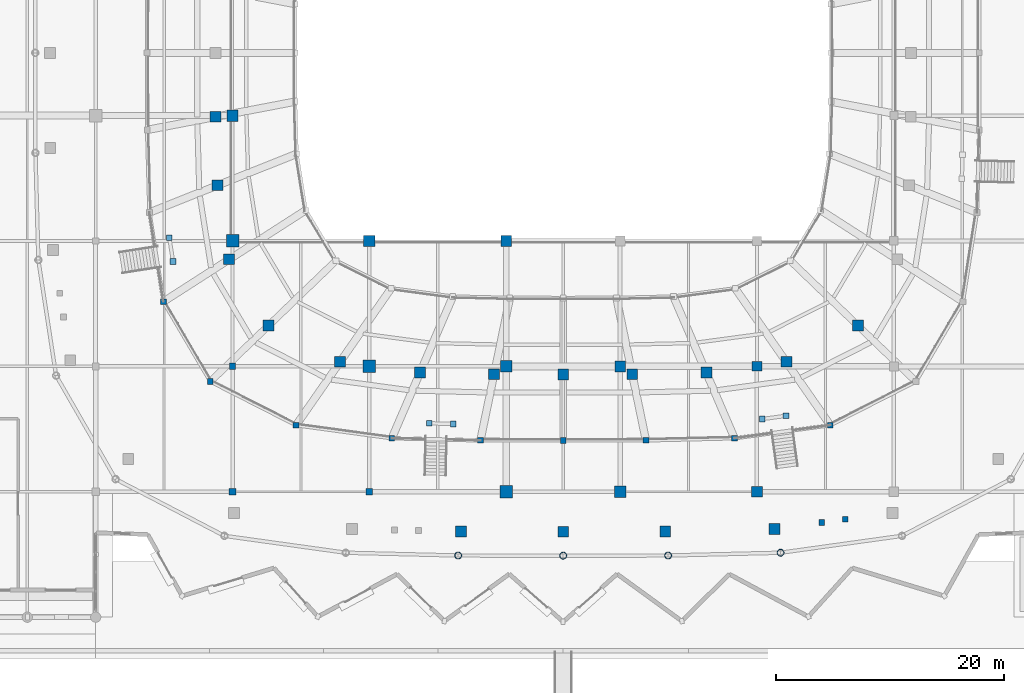
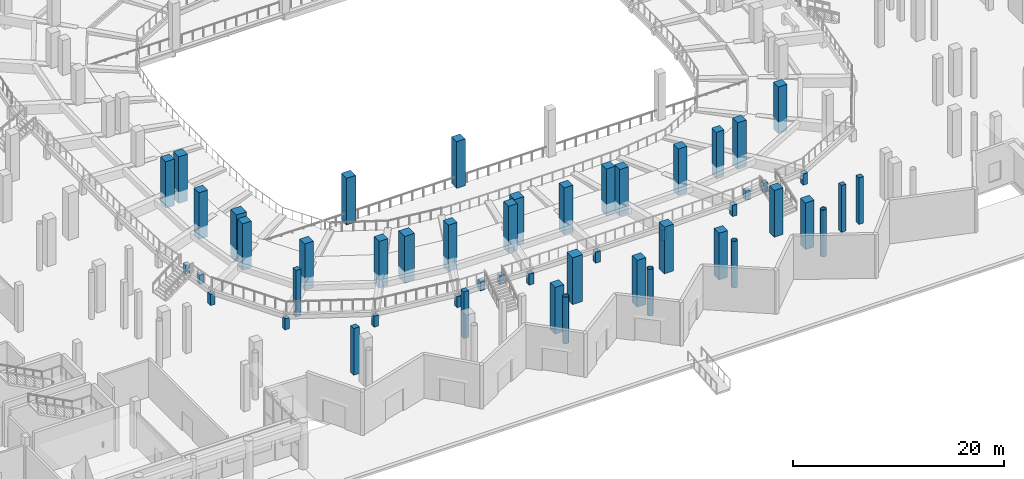
# One storey, part 5 of 120: 51 columns.
"""IFC4 building model written with IfcOpenShell, lengths in metres."""

from ifc_helpers import new_model, si_unit, direction, frame, origin, origin_2d, place, context, subcontext, project, spatial, rectangle, hollow_circle, extrude, material, material_profile, profile_set, type_object, element, save


model = new_model("IFC4")

# Units and contexts
model_context = context("Model", 3, precision=1e-05, world=origin(), true_north=direction((0.0, 1.0)))
body_context = subcontext(model_context, "Body", "Model", "MODEL_VIEW")
ifc_project = project(units=[si_unit("LENGTHUNIT", "METRE"), si_unit("AREAUNIT", "SQUARE_METRE"), si_unit("VOLUMEUNIT", "CUBIC_METRE"), si_unit("PLANEANGLEUNIT", "RADIAN"), si_unit("MASSUNIT", "GRAM", prefix="KILO")], contexts=[model_context])

# Site, building, storey
site_placement = place(None, origin())
site = spatial("IfcSite", under=ifc_project, at=site_placement, CompositionType="ELEMENT")
building_placement = place(site_placement, origin())
building = spatial("IfcBuilding", under=site, at=building_placement, Name="Luwafu Chhajja Arena", CompositionType="ELEMENT")
storey_placement = place(building_placement, origin())
storey = spatial("IfcBuildingStorey", under=building, at=storey_placement, Name="L00", CompositionType="ELEMENT", Elevation=0.0)

# Columns
ifc_material_1 = material(Name="Concrete C40/50", Category="concrete")
ifc_material_profile_1 = material_profile(ifc_material_1, rectangle(XDim=1.0, YDim=1.0, at=origin_2d()), Name="RC 1000x1000")
ifc_profile_set_1 = profile_set([ifc_material_profile_1], Name="Concrete C40/50")
column_type_1 = type_object("IfcColumnType", Name="Bowl Primary Column RC 1000", PredefinedType="COLUMN", material=ifc_profile_set_1)
for number, where, z_axis, x_axis, name in (
    (1, (70.0, 44.0, 0.0), (0.0, 0.0, 1.0), (1.0, 0.0, 0.0), "L00 Grid Column 7/E"),
    (2, (82.0, 33.0, 0.0), (0.0, 0.0, 1.0), (1.0, 0.0, 0.0), "L00 Grid Column 8/D"),
    (3, (94.0, 22.0, 0.0), (0.0, 0.0, 1.0), (1.0, 0.0, 0.0), "L00 Grid Column 9/C"),
    (4, (104.0, 11.0, 0.0), (0.0, 0.0, 1.0), (1.0, 0.0, 0.0), "L00 Grid Column 10/B"),
):
    element("IfcColumn", number, at=place(storey_placement, frame(where, z_axis=z_axis, x_axis=x_axis)), inside=storey, type_object=column_type_1, Name=name, PredefinedType="COLUMN", context=body_context, shape_type="SweptSolid", body=[
        extrude(rectangle(XDim=1.0, YDim=1.0, at=origin_2d()), origin(), (0.0, 0.0, 1.0), 5.39990234375),
    ])
ifc_material_profile_2 = material_profile(ifc_material_1, rectangle(XDim=0.949951171875, YDim=0.949951171875, at=origin_2d()), Name="RC 950x950")
ifc_profile_set_2 = profile_set([ifc_material_profile_2], Name="Concrete C40/50")
column_type_2 = type_object("IfcColumnType", Name="Bowl Raker Support Column RC 950", PredefinedType="COLUMN", material=ifc_profile_set_2)
for number, where, z_axis, x_axis, name in (
    (5, (94.0, 33.0, 0.0), (0.0, 0.0, 1.0), (1.0, 0.0, 0.0), "L00 Grid Column 9/D"),
    (6, (104.0, 22.0, 0.0), (0.0, 0.0, 1.0), (1.0, 0.0, 0.0), "L00 Grid Column 10/C"),
    (7, (116.0, 11.0, 0.0), (0.0, 0.0, 1.0), (1.0, 0.0, 0.0), "L00 Grid Column 11/B"),
    (8, (68.50830078125, 43.89208984375, 0.0), (0.0, 0.0, 1.0), (1.0, 0.0, 0.0), "L00 Upper Bowl Raker Column UI18"),
    (9, (68.676513671875, 37.88671875, 0.0), (0.0, 0.0, 1.0), (1.0, 0.0, 0.0), "L00 Upper Bowl Raker Column UI19"),
    (10, (69.701416015625, 31.399658203125, 0.0), (0.0, 0.0, 1.0), (1.0, 0.0, 0.0), "L00 Upper Bowl Raker Column UI20"),
    (11, (73.14013671875, 25.590087890625, 0.0), (0.0, 0.0, 1.0), (1.0, 0.0, 0.0), "L00 Upper Bowl Raker Column UI21"),
    (12, (79.42333984375, 22.410888671875, 0.0), (0.0, 0.0, 1.0), (1.0, 0.0, 0.0), "L00 Upper Bowl Raker Column UI22"),
    (13, (86.439697265625, 21.463134765625, 0.0), (0.0, 0.0, 1.0), (1.0, 0.0, 0.0), "L00 Upper Bowl Raker Column UI23"),
    (14, (92.934814453125, 21.3076171875, 0.0), (0.0, 0.0, 1.0), (1.0, 0.0, 0.0), "L00 Upper Bowl Raker Column UI24"),
    (15, (99.0, 21.300048828125, 0.0), (0.0, 0.0, 1.0), (1.0, 0.0, 0.0), "L00 Upper Bowl Raker Column UI25"),
    (16, (105.065185546875, 21.3076171875, 0.0), (0.0, 0.0, 1.0), (1.0, 0.0, 0.0), "L00 Upper Bowl Raker Column UI26"),
    (17, (111.560302734375, 21.463134765625, 0.0), (0.0, 0.0, 1.0), (1.0, 0.0, 0.0), "L00 Upper Bowl Raker Column UI27"),
    (18, (118.57666015625, 22.410888671875, 0.0), (0.0, 0.0, 1.0), (1.0, 0.0, 0.0), "L00 Upper Bowl Raker Column UI28"),
    (19, (124.85986328125, 25.590087890625, 0.0), (0.0, 0.0, 1.0), (1.0, 0.0, 0.0), "L00 Upper Bowl Raker Column UI29"),
    (20, (90.051513671875, 7.51123046875, 0.0), (0.0, 0.0, 1.0), (1.0, 0.0, 0.0), "L00 Upper Bowl Raker Column UO24"),
    (21, (99.0, 7.5, 0.0), (0.0, 0.0, 1.0), (1.0, 0.0, 0.0), "L00 Upper Bowl Raker Column UO25"),
    (22, (107.948486328125, 7.51123046875, 0.0), (0.0, 0.0, 1.0), (1.0, 0.0, 0.0), "L00 Upper Bowl Raker Column UO26"),
    (23, (117.53173828125, 7.7431640625, 0.0), (0.0, 0.0, 1.0), (1.0, 0.0, 0.0), "L00 Upper Bowl Raker Column UO27"),
):
    element("IfcColumn", number, at=place(storey_placement, frame(where, z_axis=z_axis, x_axis=x_axis)), inside=storey, type_object=column_type_2, Name=name, PredefinedType="COLUMN", context=body_context, shape_type="SweptSolid", body=[
        extrude(rectangle(XDim=0.949951171875, YDim=0.949951171875, at=origin_2d()), origin(), (0.0, 0.0, 1.0), 5.39990234375),
    ])
ifc_material_profile_3 = material_profile(ifc_material_1, rectangle(XDim=1.10009765625, YDim=1.10009765625, at=origin_2d()), Name="RC 1100x1100")
ifc_profile_set_3 = profile_set([ifc_material_profile_3], Name="Concrete C40/50")
column_type_3 = type_object("IfcColumnType", Name="Bowl Rim Mega Column RC 1100", PredefinedType="COLUMN", material=ifc_profile_set_3)
for number, where, z_axis, x_axis, name in (
    (24, (70.0, 33.0, 0.0), (0.0, 0.0, 1.0), (1.0, 0.0, 0.0), "L00 Grid Column 7/D"),
    (25, (82.0, 22.0, 0.0), (0.0, 0.0, 1.0), (1.0, 0.0, 0.0), "L00 Grid Column 8/C"),
    (26, (94.0, 11.0, 0.0), (0.0, 0.0, 1.0), (1.0, 0.0, 0.0), "L00 Grid Column 9/B"),
):
    element("IfcColumn", number, at=place(storey_placement, frame(where, z_axis=z_axis, x_axis=x_axis)), inside=storey, type_object=column_type_3, Name=name, PredefinedType="COLUMN", context=body_context, shape_type="SweptSolid", body=[
        extrude(rectangle(XDim=1.10009765625, YDim=1.10009765625, at=origin_2d()), origin(), (0.0, 0.0, 1.0), 5.39990234375),
    ])
ifc_material_2 = material(Name="Concrete C35/45", Category="concrete")
ifc_material_profile_4 = material_profile(ifc_material_2, rectangle(XDim=0.85009765625, YDim=0.85009765625, at=origin_2d()), Name="RC 850x850")
ifc_profile_set_4 = profile_set([ifc_material_profile_4], Name="Concrete C35/45")
column_type_4 = type_object("IfcColumnType", Name="Concourse Heavy Column RC 850", PredefinedType="COLUMN", material=ifc_profile_set_4)
column_1_placement = place(storey_placement, frame((116.0, 22.0, 0.0), z_axis=(0.0, 0.0, 1.0), x_axis=(1.0, 0.0, 0.0)))
element("IfcColumn", 27, at=column_1_placement, inside=storey, type_object=column_type_4, Name="L00 Grid Column 11/C", PredefinedType="COLUMN", context=body_context, shape_type="SweptSolid", body=[
    extrude(rectangle(XDim=0.85009765625, YDim=0.85009765625, at=origin_2d()), origin(), (0.0, 0.0, 1.0), 5.39990234375),
])
ifc_material_profile_5 = material_profile(ifc_material_2, rectangle(XDim=0.550048828125, YDim=0.550048828125, at=origin_2d()), Name="RC 550x550")
ifc_profile_set_5 = profile_set([ifc_material_profile_5], Name="Concrete C35/45")
column_type_5 = type_object("IfcColumnType", Name="Gallery Column RC 550", PredefinedType="COLUMN", material=ifc_profile_set_5)
for number, where, z_axis, x_axis, name in (
    (28, (70.0, 22.0, 0.0), (0.0, 0.0, 1.0), (1.0, 0.0, 0.0), "L00 Grid Column 7/C"),
    (29, (82.0, 11.0, 0.0), (0.0, 0.0, 1.0), (1.0, 0.0, 0.0), "L00 Grid Column 8/B"),
):
    element("IfcColumn", number, at=place(storey_placement, frame(where, z_axis=z_axis, x_axis=x_axis)), inside=storey, type_object=column_type_5, Name=name, PredefinedType="COLUMN", context=body_context, shape_type="SweptSolid", body=[
        extrude(rectangle(XDim=0.550048828125, YDim=0.550048828125, at=origin_2d()), origin(), (0.0, 0.0, 1.0), 5.39990234375),
    ])
ifc_material_profile_6 = material_profile(ifc_material_2, rectangle(XDim=0.60009765625, YDim=0.60009765625, at=origin_2d()), Name="RC 600x600")
ifc_profile_set_6 = profile_set([ifc_material_profile_6], Name="Concrete C35/45")
column_type_6 = type_object("IfcColumnType", Name="Mezzanine Column RC 600", PredefinedType="COLUMN", material=ifc_profile_set_6)
column_2_placement = place(storey_placement, frame((70.0, 11.0, 0.0), z_axis=(0.0, 0.0, 1.0), x_axis=(1.0, 0.0, 0.0)))
element("IfcColumn", 30, at=column_2_placement, inside=storey, type_object=column_type_6, Name="L00 Grid Column 7/B", PredefinedType="COLUMN", context=body_context, shape_type="SweptSolid", body=[
    extrude(rectangle(XDim=0.60009765625, YDim=0.60009765625, at=origin_2d()), origin(), (0.0, 0.0, 1.0), 5.39990234375),
])
ifc_material_profile_7 = material_profile(ifc_material_2, rectangle(XDim=0.5, YDim=0.5, at=origin_2d()), Name="RC 500x500")
ifc_profile_set_7 = profile_set([ifc_material_profile_7], Name="Concrete C35/45")
column_type_7 = type_object("IfcColumnType", Name="Pavilion Column RC 500", PredefinedType="COLUMN", material=ifc_profile_set_7)
for number, where, z_axis, x_axis, name in (
    (31, (64.457763671875, 33.275390625, 0.0), (0.0, 0.0, 1.0), (1.0, 0.0, 0.0), "L00 Vomitory Header Column VL19A"),
    (32, (64.783203125, 31.200927734375, 0.0), (0.0, 0.0, 1.0), (1.0, 0.0, 0.0), "L00 Vomitory Header Column VL19B"),
):
    element("IfcColumn", number, at=place(storey_placement, frame(where, z_axis=z_axis, x_axis=x_axis)), inside=storey, type_object=column_type_7, Name=name, PredefinedType="COLUMN", context=body_context, shape_type="SweptSolid", body=[
        extrude(rectangle(XDim=0.5, YDim=0.5, at=origin_2d()), origin(), (0.0, 0.0, 1.0), 1.050048828125),
    ])
for number, where, z_axis, x_axis, name in (
    (33, (63.93798828125, 27.677001953125, 0.0), (0.0, 0.0, 1.0), (1.0, 0.0, 0.0), "L00 Raker Heel Plinth 20"),
    (34, (68.052978515625, 20.672607421875, 0.0), (0.0, 0.0, 1.0), (1.0, 0.0, 0.0), "L00 Raker Heel Plinth 21"),
    (35, (75.572265625, 16.83935546875, 0.0), (0.0, 0.0, 1.0), (1.0, 0.0, 0.0), "L00 Raker Heel Plinth 22"),
    (36, (83.96875, 15.69677734375, 0.0), (0.0, 0.0, 1.0), (1.0, 0.0, 0.0), "L00 Raker Heel Plinth 23"),
):
    element("IfcColumn", number, at=place(storey_placement, frame(where, z_axis=z_axis, x_axis=x_axis)), inside=storey, type_object=column_type_7, Name=name, PredefinedType="COLUMN", context=body_context, shape_type="SweptSolid", body=[
        extrude(rectangle(XDim=0.5, YDim=0.5, at=origin_2d()), origin(), (0.0, 0.0, 1.0), 1.280029296875),
    ])
for number, where, z_axis, x_axis, name in (
    (37, (87.25830078125, 17.005859375, 0.0), (0.0, 0.0, 1.0), (1.0, 0.0, 0.0), "L00 Vomitory Header Column VL23A"),
    (38, (89.35791015625, 16.955078125, 0.0), (0.0, 0.0, 1.0), (1.0, 0.0, 0.0), "L00 Vomitory Header Column VL23B"),
):
    element("IfcColumn", number, at=place(storey_placement, frame(where, z_axis=z_axis, x_axis=x_axis)), inside=storey, type_object=column_type_7, Name=name, PredefinedType="COLUMN", context=body_context, shape_type="SweptSolid", body=[
        extrude(rectangle(XDim=0.5, YDim=0.5, at=origin_2d()), origin(), (0.0, 0.0, 1.0), 1.050048828125),
    ])
for number, where, z_axis, x_axis, name in (
    (39, (91.74169921875, 15.50927734375, 0.0), (0.0, 0.0, 1.0), (1.0, 0.0, 0.0), "L00 Raker Heel Plinth 24"),
    (40, (99.0, 15.5, 0.0), (0.0, 0.0, 1.0), (1.0, 0.0, 0.0), "L00 Raker Heel Plinth 25"),
    (41, (106.25830078125, 15.50927734375, 0.0), (0.0, 0.0, 1.0), (1.0, 0.0, 0.0), "L00 Raker Heel Plinth 26"),
    (42, (114.03125, 15.69677734375, 0.0), (0.0, 0.0, 1.0), (1.0, 0.0, 0.0), "L00 Raker Heel Plinth 27"),
):
    element("IfcColumn", number, at=place(storey_placement, frame(where, z_axis=z_axis, x_axis=x_axis)), inside=storey, type_object=column_type_7, Name=name, PredefinedType="COLUMN", context=body_context, shape_type="SweptSolid", body=[
        extrude(rectangle(XDim=0.5, YDim=0.5, at=origin_2d()), origin(), (0.0, 0.0, 1.0), 1.280029296875),
    ])
for number, where, z_axis, x_axis, name in (
    (43, (116.462890625, 17.381591796875, 0.0), (0.0, 0.0, 1.0), (1.0, 0.0, 0.0), "L00 Vomitory Header Column VL27A"),
    (44, (118.543701171875, 17.664794921875, 0.0), (0.0, 0.0, 1.0), (1.0, 0.0, 0.0), "L00 Vomitory Header Column VL27B"),
):
    element("IfcColumn", number, at=place(storey_placement, frame(where, z_axis=z_axis, x_axis=x_axis)), inside=storey, type_object=column_type_7, Name=name, PredefinedType="COLUMN", context=body_context, shape_type="SweptSolid", body=[
        extrude(rectangle(XDim=0.5, YDim=0.5, at=origin_2d()), origin(), (0.0, 0.0, 1.0), 1.050048828125),
    ])
for number, where, z_axis, x_axis, name in (
    (45, (121.667236328125, 8.306884765625, 0.0), (0.0, 0.0, 1.0), (1.0, 0.0, 0.0), "L00 Vomitory Stack Column VU27A"),
    (46, (123.748046875, 8.5908203125, 0.0), (0.0, 0.0, 1.0), (1.0, 0.0, 0.0), "L00 Vomitory Stack Column VU27B"),
):
    element("IfcColumn", number, at=place(storey_placement, frame(where, z_axis=z_axis, x_axis=x_axis)), inside=storey, type_object=column_type_7, Name=name, PredefinedType="COLUMN", context=body_context, shape_type="SweptSolid", body=[
        extrude(rectangle(XDim=0.5, YDim=0.5, at=origin_2d()), origin(), (0.0, 0.0, 1.0), 5.39990234375),
    ])
column_3_placement = place(storey_placement, frame((122.427734375, 16.83935546875, 0.0), z_axis=(0.0, 0.0, 1.0), x_axis=(1.0, 0.0, 0.0)))
element("IfcColumn", 47, at=column_3_placement, inside=storey, type_object=column_type_7, Name="L00 Raker Heel Plinth 28", PredefinedType="COLUMN", context=body_context, shape_type="SweptSolid", body=[
    extrude(rectangle(XDim=0.5, YDim=0.5, at=origin_2d()), origin(), (0.0, 0.0, 1.0), 1.280029296875),
])
ifc_material_3 = material(Name="Steel S355", Category="steel")
ifc_material_profile_8 = material_profile(ifc_material_3, hollow_circle(Radius=0.304931640625, WallThickness=0.02490234375, at=origin_2d()), Name="CHS 610x25")
ifc_profile_set_8 = profile_set([ifc_material_profile_8], Name="Steel S355")
column_type_8 = type_object("IfcColumnType", Name="Steel Bowl Drum Column CHS 610", PredefinedType="COLUMN", material=ifc_profile_set_8)
for number, where, z_axis, x_axis, name in (
    (48, (89.792724609375, 5.411865234375, 0.0), (0.0, 0.0, 1.0), (1.0, 0.0, 0.0), "L00 Bowl Drum Column D24"),
    (49, (99.0, 5.39990234375, 0.0), (0.0, 0.0, 1.0), (1.0, 0.0, 0.0), "L00 Bowl Drum Column D25"),
    (50, (108.207275390625, 5.411865234375, 0.0), (0.0, 0.0, 1.0), (1.0, 0.0, 0.0), "L00 Bowl Drum Column D26"),
    (51, (118.067138671875, 5.6552734375, 0.0), (0.0, 0.0, 1.0), (1.0, 0.0, 0.0), "L00 Bowl Drum Column D27"),
):
    element("IfcColumn", number, at=place(storey_placement, frame(where, z_axis=z_axis, x_axis=x_axis)), inside=storey, type_object=column_type_8, Name=name, PredefinedType="COLUMN", context=body_context, shape_type="SweptSolid", body=[
        extrude(hollow_circle(Radius=0.304931640625, WallThickness=0.02490234375, at=origin_2d()), origin(), (0.0, 0.0, 1.0), 5.39990234375),
    ])

save(model, "model.ifc")
